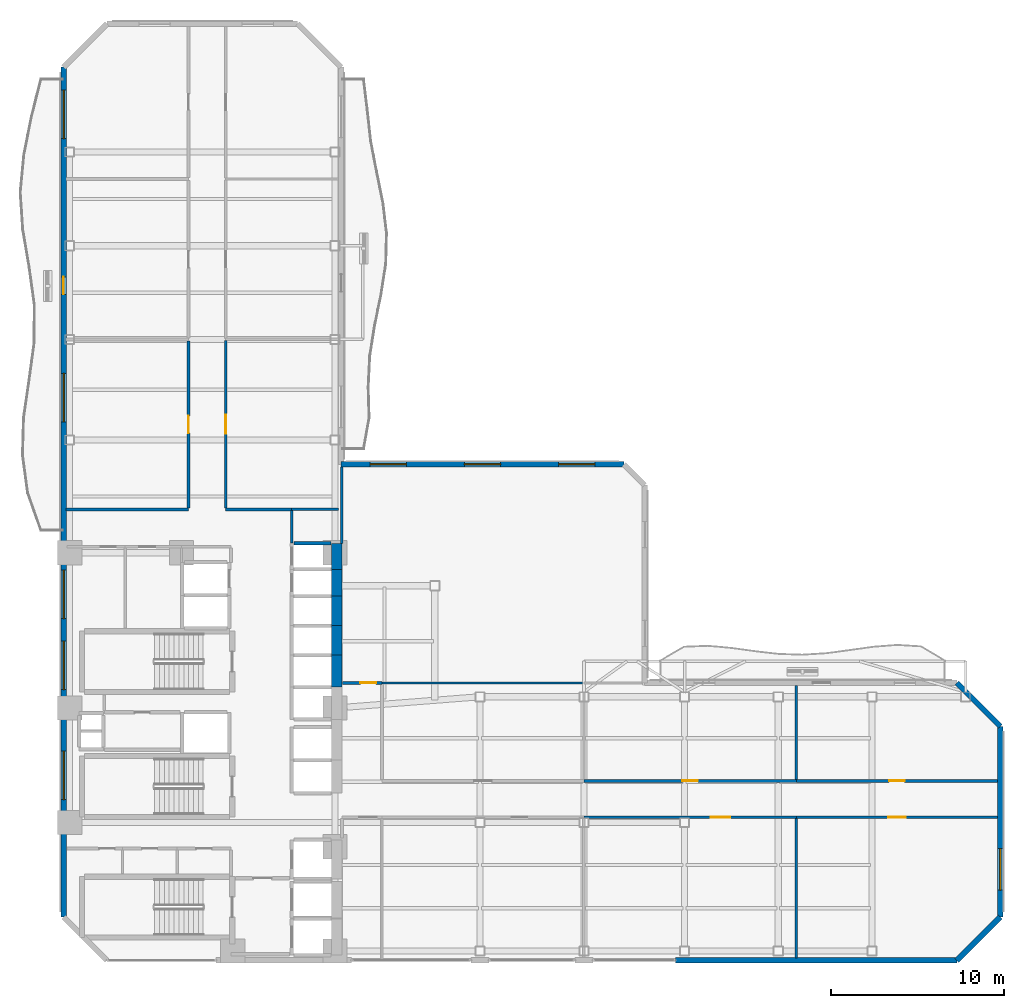
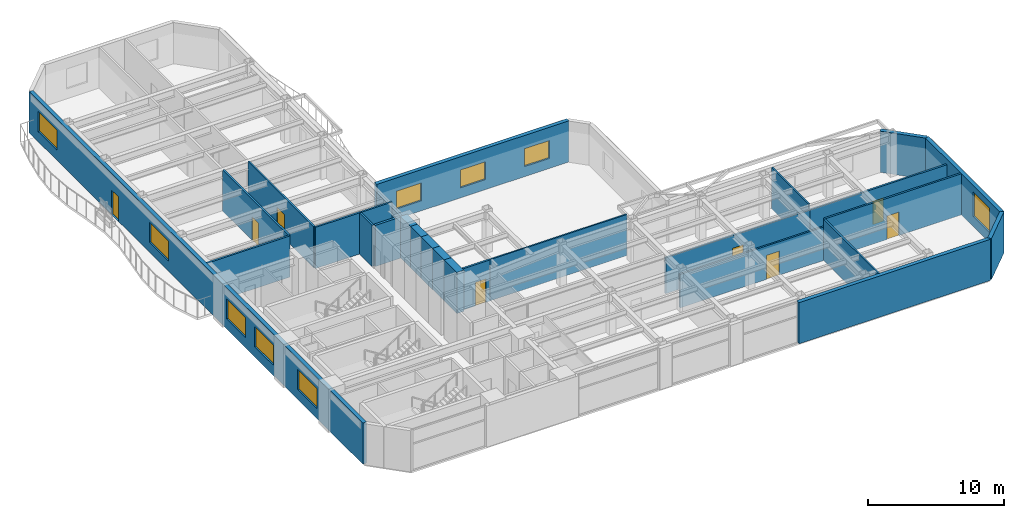
# One storey, part 11 of 16: 27 walls, 9 windows, 8 doors, 17 openings.
"""IFC4 building model written with IfcOpenShell, lengths in metres."""

from ifc_helpers import new_model, si_unit, direction, frame, frame_2d, origin, place, context, subcontext, project, spatial, rectangle, extrude, material, layer, layer_set, type_object, element, fill, save


model = new_model("IFC4")

# Units and contexts
model_context = context("Model", 3, precision=1e-05, world=origin(), true_north=direction((0.0, 1.0)))
body_context = subcontext(model_context, "Body", "Model", "MODEL_VIEW")
ifc_project = project(units=[si_unit("LENGTHUNIT", "METRE"), si_unit("AREAUNIT", "SQUARE_METRE"), si_unit("VOLUMEUNIT", "CUBIC_METRE"), si_unit("PLANEANGLEUNIT", "RADIAN"), si_unit("MASSUNIT", "GRAM", prefix="KILO")], contexts=[model_context])

# Site, building, storey
site_placement = place(None, origin())
site = spatial("IfcSite", under=ifc_project, at=site_placement, CompositionType="ELEMENT")
building_placement = place(site_placement, origin())
building = spatial("IfcBuilding", under=site, at=building_placement, Name="Mawjaban Terraces University", CompositionType="ELEMENT")
storey_placement = place(building_placement, frame((0.0, 0.0, 38.800048828125)))
storey = spatial("IfcBuildingStorey", under=building, at=storey_placement, Name="L08", CompositionType="ELEMENT", Elevation=38.800048828125)

# Walls
ifc_material_1 = material(Name="Concrete C70/85", Category="concrete")
ifc_layer_1 = layer(ifc_material_1, 0.60009765625)
ifc_layer_set_1 = layer_set([ifc_layer_1], Name="Concrete C70/85")
wall_type_1 = type_object("IfcWallType", Name="CoreShearWall_600", PredefinedType="SHEAR", material=ifc_layer_set_1)
wall_1_placement = place(storey_placement, frame((37.75, 15.75, 0.0), z_axis=(0.0, 0.0, 1.0), x_axis=(0.0, 1.0, 0.0)))
element("IfcWall", 1, at=wall_1_placement, inside=storey, type_object=wall_type_1, Name="L08 Lift OL-2 Hoistway Wall East", PredefinedType="SHEAR", context=body_context, shape_type="SweptSolid", body=[
    extrude(rectangle(XDim=1.85009765625, YDim=0.60009765625, at=frame_2d((0.925048828125, 0.0))), origin(), (0.0, 0.0, 1.0), 3.68994140625),
])
for number, where, z_axis, x_axis, name in (
    (2, (37.75, 17.60009765625, 0.0), (0.0, 0.0, 1.0), (0.0, 1.0, 0.0), "L08 Lift PL-M1 Hoistway Wall East"),
    (3, (37.75, 19.300048828125, 0.0), (0.0, 0.0, 1.0), (0.0, 1.0, 0.0), "L08 Lift PL-M2 Hoistway Wall East"),
):
    element("IfcWall", number, at=place(storey_placement, frame(where, z_axis=z_axis, x_axis=x_axis)), inside=storey, type_object=wall_type_1, Name=name, PredefinedType="SHEAR", context=body_context, shape_type="SweptSolid", body=[
        extrude(rectangle(XDim=1.699951171875, YDim=0.60009765625, at=frame_2d((0.85009765625, 0.0))), origin(), (0.0, 0.0, 1.0), 3.68994140625),
    ])
wall_2_placement = place(storey_placement, frame((37.75, 21.0, 0.0), z_axis=(0.0, 0.0, 1.0), x_axis=(0.0, 1.0, 0.0)))
element("IfcWall", 4, at=wall_2_placement, inside=storey, type_object=wall_type_1, Name="L08 Lift PL-L1 Hoistway Wall East", PredefinedType="SHEAR", context=body_context, shape_type="SweptSolid", body=[
    extrude(rectangle(XDim=1.550048828125, YDim=0.60009765625, at=frame_2d((0.77490234375, 0.0))), origin(), (0.0, 0.0, 1.0), 3.68994140625),
])
wall_3_placement = place(storey_placement, frame((37.75, 22.550048828125, 0.0), z_axis=(0.0, 0.0, 1.0), x_axis=(0.0, 1.0, 0.0)))
element("IfcWall", 5, at=wall_3_placement, inside=storey, type_object=wall_type_1, Name="L08 Lift PL-L2 Hoistway Wall East", PredefinedType="SHEAR", context=body_context, shape_type="SweptSolid", body=[
    extrude(rectangle(XDim=1.5, YDim=0.60009765625, at=frame_2d((0.75, 0.0))), origin(), (0.0, 0.0, 1.0), 3.68994140625),
])
ifc_material_2 = material(Name="Fire-rated gypsum board on steel stud", Category="steel")
ifc_layer_2 = layer(ifc_material_2, 0.159912109375)
ifc_layer_set_2 = layer_set([ifc_layer_2], Name="Fire-rated gypsum board on steel stud")
wall_type_2 = type_object("IfcWallType", Name="CorridorPartition_160", PredefinedType="PARTITIONING", material=ifc_layer_set_2)
wall_4_placement = place(storey_placement, frame((29.199951171875, 26.0, 0.0), z_axis=(0.0, 0.0, 1.0), x_axis=(-1.0, 0.0, 0.0)))
element("IfcWall", 6, at=wall_4_placement, inside=storey, type_object=wall_type_2, Name="L08 North Core Cross-Corridor Partition 9", PredefinedType="PARTITIONING", context=body_context, shape_type="SweptSolid", body=[
    extrude(rectangle(XDim=7.044921875, YDim=0.159912109375, at=frame_2d((3.5224609375, 0.0))), origin(), (0.0, 0.0, 1.0), 3.68994140625),
])
wall_5_placement = place(storey_placement, frame((35.14990234375, 26.0, 0.0), z_axis=(0.0, 0.0, 1.0), x_axis=(-1.0, 0.0, 0.0)))
element("IfcWall", 7, at=wall_5_placement, inside=storey, type_object=wall_type_2, Name="L08 North Core Cross-Corridor Partition 14", PredefinedType="PARTITIONING", context=body_context, shape_type="SweptSolid", body=[
    extrude(rectangle(XDim=3.7998046875, YDim=0.159912109375, at=frame_2d((1.89990234375, 0.0))), origin(), (0.0, 0.0, 1.0), 3.68994140625),
])

# Wall, opening, door
wall_6_placement = place(storey_placement, frame((40.35009765625, 16.0, 0.0), z_axis=(0.0, 0.0, 1.0), x_axis=(-1.0, 0.0, 0.0)))
wall_6 = element("IfcWall", 8, at=wall_6_placement, inside=storey, type_object=wall_type_2, Name="L08 East Academic Corridor Vestibule Partition 20", PredefinedType="PARTITIONING", context=body_context, shape_type="SweptSolid", body=[
    extrude(rectangle(XDim=2.27001953125, YDim=0.159912109375, at=frame_2d((1.135009765625, 0.0))), origin(), (0.0, 0.0, 1.0), 3.68994140625),
])
opening_1_placement = place(wall_6_placement, frame((0.3349609375, 0.0, 0.0)))
opening_1 = element("IfcOpeningElement", 9, at=opening_1_placement, cuts=wall_6, Name="Opening ID-090", PredefinedType="OPENING", context=body_context, shape_type="SweptSolid", body=[
    extrude(rectangle(XDim=0.89990234375, YDim=2.10009765625, at=frame_2d((0.449951171875, 1.050048828125))), frame((0.0, 0.08984375, 0.0), z_axis=(0.0, -1.0, 0.0), x_axis=(1.0, 0.0, 0.0)), (0.0, 0.0, 1.0), 0.179931640625),
])
ifc_material_3 = material(Name="Powder-coated steel frame and solid acoustic timber leaf", Category="steel")
door_type_1 = type_object("IfcDoorType", Name="OfficeDoor_900x2100", OperationType="NOTDEFINED", PredefinedType="DOOR", material=ifc_material_3)
door_1_placement = place(opening_1_placement, origin())
door_1 = element("IfcDoor", 10, at=door_1_placement, inside=storey, type_object=door_type_1, Name="L08 Terrace Collaborative Study Room Door", OperationType="SINGLE_SWING_LEFT", OverallHeight=2.10009765625, OverallWidth=0.89990234375, PredefinedType="DOOR", context=body_context, shape_type="SweptSolid", body=[
    extrude(rectangle(XDim=0.89990234375, YDim=2.10009765625, at=frame_2d((0.449951171875, 1.050048828125))), frame((0.0, 0.02490234375, 0.0), z_axis=(0.0, -1.0, 0.0), x_axis=(1.0, 0.0, 0.0)), (0.0, 0.0, 1.0), 0.050048828125),
])
fill(opening_1, door_1)

wall_7_placement = place(storey_placement, frame((64.239990234375, 8.25, 0.0), z_axis=(0.0, 0.0, 1.0), x_axis=(1.0, 0.0, 0.0)))
wall_7 = element("IfcWall", 11, at=wall_7_placement, inside=storey, type_object=wall_type_2, Name="L08 East Academic Spine Corridor Partition 25", PredefinedType="PARTITIONING", context=body_context, shape_type="SweptSolid", body=[
    extrude(rectangle(XDim=11.60498046875, YDim=0.159912109375, at=frame_2d((5.802490234375, 0.0))), origin(), (0.0, 0.0, 1.0), 3.68994140625),
])
opening_2_placement = place(wall_7_placement, frame((5.302978515625, 0.0, 0.0)))
opening_2 = element("IfcOpeningElement", 12, at=opening_2_placement, cuts=wall_7, Name="Opening ID-100", PredefinedType="OPENING", context=body_context, shape_type="SweptSolid", body=[
    extrude(rectangle(XDim=1.0, YDim=2.10009765625, at=frame_2d((0.5, 1.050048828125))), frame((0.0, 0.08984375, 0.0), z_axis=(0.0, -1.0, 0.0), x_axis=(1.0, 0.0, 0.0)), (0.0, 0.0, 1.0), 0.179931640625),
])
door_type_2 = type_object("IfcDoorType", Name="ClassroomDoor_1000x2100", OperationType="NOTDEFINED", PredefinedType="DOOR", material=ifc_material_3)
door_2_placement = place(opening_2_placement, origin())
door_2 = element("IfcDoor", 13, at=door_2_placement, inside=storey, type_object=door_type_2, Name="L08 Classroom 6 Door", OperationType="SINGLE_SWING_LEFT", OverallHeight=2.10009765625, OverallWidth=1.0, PredefinedType="DOOR", context=body_context, shape_type="SweptSolid", body=[
    extrude(rectangle(XDim=1.0, YDim=2.10009765625, at=frame_2d((0.5, 1.050048828125))), frame((0.0, 0.02490234375, 0.0), z_axis=(0.0, -1.0, 0.0), x_axis=(1.0, 0.0, 0.0)), (0.0, 0.0, 1.0), 0.050048828125),
])
fill(opening_2, door_2)

wall_8_placement = place(storey_placement, frame((64.239990234375, 10.35009765625, 0.0), z_axis=(0.0, 0.0, 1.0), x_axis=(-1.0, 0.0, 0.0)))
wall_8 = element("IfcWall", 14, at=wall_8_placement, inside=storey, type_object=wall_type_2, Name="L08 East Academic Spine Corridor Partition 26", PredefinedType="PARTITIONING", context=body_context, shape_type="SweptSolid", body=[
    extrude(rectangle(XDim=12.239990234375, YDim=0.159912109375, at=frame_2d((6.1201171875, 0.0))), origin(), (0.0, 0.0, 1.0), 3.22705078125),
])
opening_3_placement = place(wall_8_placement, frame((5.669921875, 0.0, 0.0)))
opening_3 = element("IfcOpeningElement", 15, at=opening_3_placement, cuts=wall_8, Name="Opening ID-090", PredefinedType="OPENING", context=body_context, shape_type="SweptSolid", body=[
    extrude(rectangle(XDim=0.89990234375, YDim=2.10009765625, at=frame_2d((0.449951171875, 1.050048828125))), frame((0.0, 0.08984375, 0.0), z_axis=(0.0, -1.0, 0.0), x_axis=(1.0, 0.0, 0.0)), (0.0, 0.0, 1.0), 0.179931640625),
])
door_3_placement = place(opening_3_placement, origin())
door_3 = element("IfcDoor", 16, at=door_3_placement, inside=storey, type_object=door_type_1, Name="L08 Seminar Room 5 Door", OperationType="SINGLE_SWING_RIGHT", OverallHeight=2.10009765625, OverallWidth=0.89990234375, PredefinedType="DOOR", context=body_context, shape_type="SweptSolid", body=[
    extrude(rectangle(XDim=0.89990234375, YDim=2.10009765625, at=frame_2d((0.449951171875, 1.050048828125))), frame((0.0, 0.02490234375, 0.0), z_axis=(0.0, -1.0, 0.0), x_axis=(1.0, 0.0, 0.0)), (0.0, 0.0, 1.0), 0.050048828125),
])
fill(opening_3, door_3)

wall_9_placement = place(storey_placement, frame((75.844970703125, 10.35009765625, 0.0), z_axis=(0.0, 0.0, 1.0), x_axis=(-1.0, 0.0, 0.0)))
wall_9 = element("IfcWall", 17, at=wall_9_placement, inside=storey, type_object=wall_type_2, Name="L08 East Academic Spine Corridor Partition 27", PredefinedType="PARTITIONING", context=body_context, shape_type="SweptSolid", body=[
    extrude(rectangle(XDim=11.60498046875, YDim=0.159912109375, at=frame_2d((5.802490234375, 0.0))), origin(), (0.0, 0.0, 1.0), 3.22705078125),
])
opening_4_placement = place(wall_9_placement, frame((5.35302734375, 0.0, 0.0)))
opening_4 = element("IfcOpeningElement", 18, at=opening_4_placement, cuts=wall_9, Name="Opening ID-090", PredefinedType="OPENING", context=body_context, shape_type="SweptSolid", body=[
    extrude(rectangle(XDim=0.89990234375, YDim=2.10009765625, at=frame_2d((0.449951171875, 1.050048828125))), frame((0.0, 0.08984375, 0.0), z_axis=(0.0, -1.0, 0.0), x_axis=(1.0, 0.0, 0.0)), (0.0, 0.0, 1.0), 0.179931640625),
])
door_4_placement = place(opening_4_placement, origin())
door_4 = element("IfcDoor", 19, at=door_4_placement, inside=storey, type_object=door_type_1, Name="L08 Faculty Office 7 Door", OperationType="SINGLE_SWING_RIGHT", OverallHeight=2.10009765625, OverallWidth=0.89990234375, PredefinedType="DOOR", context=body_context, shape_type="SweptSolid", body=[
    extrude(rectangle(XDim=0.89990234375, YDim=2.10009765625, at=frame_2d((0.449951171875, 1.050048828125))), frame((0.0, 0.02490234375, 0.0), z_axis=(0.0, -1.0, 0.0), x_axis=(1.0, 0.0, 0.0)), (0.0, 0.0, 1.0), 0.050048828125),
])
fill(opening_4, door_4)

wall_10_placement = place(storey_placement, frame((29.199951171875, 35.715087890625, 0.0), z_axis=(0.0, 0.0, 1.0), x_axis=(0.0, -1.0, 0.0)))
wall_10 = element("IfcWall", 20, at=wall_10_placement, inside=storey, type_object=wall_type_2, Name="L08 North Academic Spine Corridor Partition 33", PredefinedType="PARTITIONING", context=body_context, shape_type="SweptSolid", body=[
    extrude(rectangle(XDim=9.64013671875, YDim=0.159912109375, at=frame_2d((4.820068359375, 0.0))), origin(), (0.0, 0.0, 1.0), 3.68994140625),
])
opening_5_placement = place(wall_10_placement, frame((4.320068359375, 0.0, 0.0)))
opening_5 = element("IfcOpeningElement", 21, at=opening_5_placement, cuts=wall_10, Name="Opening ID-100", PredefinedType="OPENING", context=body_context, shape_type="SweptSolid", body=[
    extrude(rectangle(XDim=1.0, YDim=2.10009765625, at=frame_2d((0.5, 1.050048828125))), frame((0.0, 0.08984375, 0.0), z_axis=(0.0, -1.0, 0.0), x_axis=(1.0, 0.0, 0.0)), (0.0, 0.0, 1.0), 0.179931640625),
])
door_5_placement = place(opening_5_placement, origin())
door_5 = element("IfcDoor", 22, at=door_5_placement, inside=storey, type_object=door_type_2, Name="L08 Classroom 8 Door", OperationType="SINGLE_SWING_LEFT", OverallHeight=2.10009765625, OverallWidth=1.0, PredefinedType="DOOR", context=body_context, shape_type="SweptSolid", body=[
    extrude(rectangle(XDim=1.0, YDim=2.10009765625, at=frame_2d((0.5, 1.050048828125))), frame((0.0, 0.02490234375, 0.0), z_axis=(0.0, -1.0, 0.0), x_axis=(1.0, 0.0, 0.0)), (0.0, 0.0, 1.0), 0.050048828125),
])
fill(opening_5, door_5)

# Walls
wall_11_placement = place(storey_placement, frame((35.14990234375, 24.070068359375, 0.0), z_axis=(0.0, 0.0, 1.0), x_axis=(0.0, 1.0, 0.0)))
element("IfcWall", 23, at=wall_11_placement, inside=storey, type_object=wall_type_2, Name="L08 North Core Cross-Corridor Partition 41", PredefinedType="PARTITIONING", context=body_context, shape_type="SweptSolid", body=[
    extrude(rectangle(XDim=1.85498046875, YDim=0.159912109375, at=frame_2d((0.927490234375, 0.0))), origin(), (0.0, 0.0, 1.0), 3.68994140625),
])
ifc_material_4 = material(Name="Insulated terracotta rainscreen on concrete backup C40/50", Category="masonry")
ifc_layer_3 = layer(ifc_material_4, 0.320068359375)
ifc_layer_set_3 = layer_set([ifc_layer_3], Name="Insulated terracotta rainscreen on concrete backup C40/50")
wall_type_3 = type_object("IfcWallType", Name="ExtTerracottaWall_320", PredefinedType="SOLIDWALL", material=ifc_layer_set_3)
wall_12_placement = place(storey_placement, frame((57.27490234375, 0.0, 0.0), z_axis=(0.0, 0.0, 1.0), x_axis=(1.0, 0.0, 0.0)))
element("IfcWall", 24, at=wall_12_placement, inside=storey, type_object=wall_type_3, Name="L08 Exterior Terracotta Pier Wall 1.4", PredefinedType="SOLIDWALL", context=body_context, shape_type="SweptSolid", body=[
    extrude(rectangle(XDim=16.22509765625, YDim=0.320068359375, at=frame_2d((8.112548828125, 0.0))), origin(), (0.0, 0.0, 1.0), 3.68994140625),
])
wall_13_placement = place(storey_placement, frame((73.5, 0.0, 0.0), z_axis=(0.0, 0.0, 1.0), x_axis=(0.707106781187, 0.707106781187, 0.0)))
element("IfcWall", 25, at=wall_13_placement, inside=storey, type_object=wall_type_3, Name="L08 Exterior Terracotta Wall 2", PredefinedType="SOLIDWALL", context=body_context, shape_type="SweptSolid", body=[
    extrude(rectangle(XDim=3.53564453125, YDim=0.320068359375, at=frame_2d((1.767822265625, 0.0))), origin(), (0.0, 0.0, 1.0), 3.68994140625),
])

# Wall, opening, window
wall_14_placement = place(storey_placement, frame((76.0, 2.5, 0.0), z_axis=(0.0, 0.0, 1.0), x_axis=(0.0, 1.0, 0.0)))
wall_14 = element("IfcWall", 26, at=wall_14_placement, inside=storey, type_object=wall_type_3, Name="L08 Exterior Terracotta Wall 3", PredefinedType="SOLIDWALL", context=body_context, shape_type="SweptSolid", body=[
    extrude(rectangle(XDim=11.0, YDim=0.320068359375, at=frame_2d((5.5, 0.0))), origin(), (0.0, 0.0, 1.0), 3.68994140625),
])
opening_6_placement = place(wall_14_placement, frame((1.550048828125, 0.0, 0.89990234375)))
opening_6 = element("IfcOpeningElement", 27, at=opening_6_placement, cuts=wall_14, Name="Opening W-11", PredefinedType="OPENING", context=body_context, shape_type="SweptSolid", body=[
    extrude(rectangle(XDim=2.39990234375, YDim=2.199951171875, at=frame_2d((1.199951171875, 1.10009765625))), frame((0.0, 0.169921875, 0.0), z_axis=(0.0, -1.0, 0.0), x_axis=(1.0, 0.0, 0.0)), (0.0, 0.0, 1.0), 0.340087890625),
])
ifc_material_5 = material(Name="Low-E solar-control double glazing in thermally broken aluminium frame", Category="aluminium")
window_type_1 = type_object("IfcWindowType", Name="Win_2400x2200", PartitioningType="SINGLE_PANEL", PredefinedType="WINDOW", material=ifc_material_5)
window_1_placement = place(opening_6_placement, origin())
window_1 = element("IfcWindow", 28, at=window_1_placement, inside=storey, type_object=window_type_1, Name="L08 Facade Window 3.1", OverallHeight=2.199951171875, OverallWidth=2.39990234375, PartitioningType="SINGLE_PANEL", PredefinedType="WINDOW", context=body_context, shape_type="SweptSolid", body=[
    extrude(rectangle(XDim=2.39990234375, YDim=2.199951171875, at=frame_2d((1.199951171875, 1.10009765625))), frame((0.0, 0.030029296875, 0.0), z_axis=(0.0, -1.0, 0.0), x_axis=(1.0, 0.0, 0.0)), (0.0, 0.0, 1.0), 0.06005859375),
])
fill(opening_6, window_1)

# Wall
wall_15_placement = place(storey_placement, frame((76.0, 13.5, 0.0), z_axis=(0.0, 0.0, 1.0), x_axis=(-0.707106781187, 0.707106781187, 0.0)))
element("IfcWall", 29, at=wall_15_placement, inside=storey, type_object=wall_type_3, Name="L08 Exterior Terracotta Wall 4", PredefinedType="SOLIDWALL", context=body_context, shape_type="SweptSolid", body=[
    extrude(rectangle(XDim=3.53564453125, YDim=0.320068359375, at=frame_2d((1.767822265625, 0.0))), origin(), (0.0, 0.0, 1.0), 3.68994140625),
])

# Wall, openings, windows
wall_16_placement = place(storey_placement, frame((54.300048828125, 28.60009765625, 0.0), z_axis=(0.0, 0.0, 1.0), x_axis=(-1.0, 0.0, 0.0)))
wall_16 = element("IfcWall", 30, at=wall_16_placement, inside=storey, type_object=wall_type_3, Name="L08 Exterior Terracotta Wall 8", PredefinedType="SOLIDWALL", context=body_context, shape_type="SweptSolid", body=[
    extrude(rectangle(XDim=16.300048828125, YDim=0.320068359375, at=frame_2d((8.14990234375, 0.0))), origin(), (0.0, 0.0, 1.0), 3.68994140625),
])
opening_7_placement = place(wall_16_placement, frame((1.6669921875, 0.0, 0.89990234375)))
opening_7 = element("IfcOpeningElement", 31, at=opening_7_placement, cuts=wall_16, Name="Opening W-04", PredefinedType="OPENING", context=body_context, shape_type="SweptSolid", body=[
    extrude(rectangle(XDim=2.10009765625, YDim=1.60009765625, at=frame_2d((1.050048828125, 0.800048828125))), frame((0.0, 0.169921875, 0.0), z_axis=(0.0, -1.0, 0.0), x_axis=(1.0, 0.0, 0.0)), (0.0, 0.0, 1.0), 0.340087890625),
])
opening_8_placement = place(wall_16_placement, frame((7.10009765625, 0.0, 0.89990234375)))
opening_8 = element("IfcOpeningElement", 32, at=opening_8_placement, cuts=wall_16, Name="Opening W-04", PredefinedType="OPENING", context=body_context, shape_type="SweptSolid", body=[
    extrude(rectangle(XDim=2.10009765625, YDim=1.60009765625, at=frame_2d((1.050048828125, 0.800048828125))), frame((0.0, 0.169921875, 0.0), z_axis=(0.0, -1.0, 0.0), x_axis=(1.0, 0.0, 0.0)), (0.0, 0.0, 1.0), 0.340087890625),
])
opening_9_placement = place(wall_16_placement, frame((12.532958984375, 0.0, 0.89990234375)))
opening_9 = element("IfcOpeningElement", 33, at=opening_9_placement, cuts=wall_16, Name="Opening W-04", PredefinedType="OPENING", context=body_context, shape_type="SweptSolid", body=[
    extrude(rectangle(XDim=2.10009765625, YDim=1.60009765625, at=frame_2d((1.050048828125, 0.800048828125))), frame((0.0, 0.169921875, 0.0), z_axis=(0.0, -1.0, 0.0), x_axis=(1.0, 0.0, 0.0)), (0.0, 0.0, 1.0), 0.340087890625),
])
window_type_2 = type_object("IfcWindowType", Name="Win_2100x1600", PartitioningType="SINGLE_PANEL", PredefinedType="WINDOW", material=ifc_material_5)
window_2_placement = place(opening_7_placement, origin())
window_2 = element("IfcWindow", 34, at=window_2_placement, inside=storey, type_object=window_type_2, Name="L08 Facade Window 8.1", OverallHeight=1.60009765625, OverallWidth=2.10009765625, PartitioningType="SINGLE_PANEL", PredefinedType="WINDOW", context=body_context, shape_type="SweptSolid", body=[
    extrude(rectangle(XDim=2.10009765625, YDim=1.60009765625, at=frame_2d((1.050048828125, 0.800048828125))), frame((0.0, 0.030029296875, 0.0), z_axis=(0.0, -1.0, 0.0), x_axis=(1.0, 0.0, 0.0)), (0.0, 0.0, 1.0), 0.06005859375),
])
fill(opening_7, window_2)
window_3_placement = place(opening_8_placement, origin())
window_3 = element("IfcWindow", 35, at=window_3_placement, inside=storey, type_object=window_type_2, Name="L08 Facade Window 8.2", OverallHeight=1.60009765625, OverallWidth=2.10009765625, PartitioningType="SINGLE_PANEL", PredefinedType="WINDOW", context=body_context, shape_type="SweptSolid", body=[
    extrude(rectangle(XDim=2.10009765625, YDim=1.60009765625, at=frame_2d((1.050048828125, 0.800048828125))), frame((0.0, 0.030029296875, 0.0), z_axis=(0.0, -1.0, 0.0), x_axis=(1.0, 0.0, 0.0)), (0.0, 0.0, 1.0), 0.06005859375),
])
fill(opening_8, window_3)
window_4_placement = place(opening_9_placement, origin())
window_4 = element("IfcWindow", 36, at=window_4_placement, inside=storey, type_object=window_type_2, Name="L08 Facade Window 8.3", OverallHeight=1.60009765625, OverallWidth=2.10009765625, PartitioningType="SINGLE_PANEL", PredefinedType="WINDOW", context=body_context, shape_type="SweptSolid", body=[
    extrude(rectangle(XDim=2.10009765625, YDim=1.60009765625, at=frame_2d((1.050048828125, 0.800048828125))), frame((0.0, 0.030029296875, 0.0), z_axis=(0.0, -1.0, 0.0), x_axis=(1.0, 0.0, 0.0)), (0.0, 0.0, 1.0), 0.06005859375),
])
fill(opening_9, window_4)

# Wall, openings, door, windows
wall_17_placement = place(storey_placement, frame((22.0, 51.5, 0.0), z_axis=(0.0, 0.0, 1.0), x_axis=(0.0, -1.0, 0.0)))
wall_17 = element("IfcWall", 37, at=wall_17_placement, inside=storey, type_object=wall_type_3, Name="L08 Exterior Terracotta Wall 13", PredefinedType="SOLIDWALL", context=body_context, shape_type="SweptSolid", body=[
    extrude(rectangle(XDim=49.0, YDim=0.320068359375, at=frame_2d((24.5, 0.0))), origin(), (0.0, 0.0, 1.0), 3.68994140625),
])
opening_10_placement = place(wall_17_placement, frame((12.10009765625, 0.0, 0.0)))
opening_10 = element("IfcOpeningElement", 38, at=opening_10_placement, cuts=wall_17, Name="Opening BD-100", PredefinedType="OPENING", context=body_context, shape_type="SweptSolid", body=[
    extrude(rectangle(XDim=1.0, YDim=2.199951171875, at=frame_2d((0.5, 1.10009765625))), frame((0.0, 0.169921875, 0.0), z_axis=(0.0, -1.0, 0.0), x_axis=(1.0, 0.0, 0.0)), (0.0, 0.0, 1.0), 0.340087890625),
])
opening_11_placement = place(wall_17_placement, frame((1.322021484375, 0.0, 0.89990234375)))
opening_11 = element("IfcOpeningElement", 39, at=opening_11_placement, cuts=wall_17, Name="Opening W-09", PredefinedType="OPENING", context=body_context, shape_type="SweptSolid", body=[
    extrude(rectangle(XDim=2.800048828125, YDim=1.800048828125, at=frame_2d((1.39990234375, 0.89990234375))), frame((0.0, 0.169921875, 0.0), z_axis=(0.0, -1.0, 0.0), x_axis=(1.0, 0.0, 0.0)), (0.0, 0.0, 1.0), 0.340087890625),
])
opening_12_placement = place(wall_17_placement, frame((17.656005859375, 0.0, 0.89990234375)))
opening_12 = element("IfcOpeningElement", 40, at=opening_12_placement, cuts=wall_17, Name="Opening W-09", PredefinedType="OPENING", context=body_context, shape_type="SweptSolid", body=[
    extrude(rectangle(XDim=2.800048828125, YDim=1.800048828125, at=frame_2d((1.39990234375, 0.89990234375))), frame((0.0, 0.169921875, 0.0), z_axis=(0.0, -1.0, 0.0), x_axis=(1.0, 0.0, 0.0)), (0.0, 0.0, 1.0), 0.340087890625),
])
opening_13_placement = place(wall_17_placement, frame((28.993896484375, 0.0, 0.89990234375)))
opening_13 = element("IfcOpeningElement", 41, at=opening_13_placement, cuts=wall_17, Name="Opening W-09", PredefinedType="OPENING", context=body_context, shape_type="SweptSolid", body=[
    extrude(rectangle(XDim=2.800048828125, YDim=1.800048828125, at=frame_2d((1.39990234375, 0.89990234375))), frame((0.0, 0.169921875, 0.0), z_axis=(0.0, -1.0, 0.0), x_axis=(1.0, 0.0, 0.0)), (0.0, 0.0, 1.0), 0.340087890625),
])
opening_14_placement = place(wall_17_placement, frame((33.089111328125, 0.0, 0.89990234375)))
opening_14 = element("IfcOpeningElement", 42, at=opening_14_placement, cuts=wall_17, Name="Opening W-09", PredefinedType="OPENING", context=body_context, shape_type="SweptSolid", body=[
    extrude(rectangle(XDim=2.800048828125, YDim=1.800048828125, at=frame_2d((1.39990234375, 0.89990234375))), frame((0.0, 0.169921875, 0.0), z_axis=(0.0, -1.0, 0.0), x_axis=(1.0, 0.0, 0.0)), (0.0, 0.0, 1.0), 0.340087890625),
])
opening_15_placement = place(wall_17_placement, frame((39.43310546875, 0.0, 0.89990234375)))
opening_15 = element("IfcOpeningElement", 43, at=opening_15_placement, cuts=wall_17, Name="Opening W-09", PredefinedType="OPENING", context=body_context, shape_type="SweptSolid", body=[
    extrude(rectangle(XDim=2.800048828125, YDim=1.800048828125, at=frame_2d((1.39990234375, 0.89990234375))), frame((0.0, 0.169921875, 0.0), z_axis=(0.0, -1.0, 0.0), x_axis=(1.0, 0.0, 0.0)), (0.0, 0.0, 1.0), 0.340087890625),
])
ifc_material_6 = material(Name="Thermally broken anodised aluminium and laminated safety glass", Category="aluminium")
door_type_3 = type_object("IfcDoorType", Name="BalconyGlazedDoor_1000x2200", OperationType="NOTDEFINED", PredefinedType="DOOR", material=ifc_material_6)
door_6_placement = place(opening_10_placement, origin())
door_6 = element("IfcDoor", 44, at=door_6_placement, inside=storey, type_object=door_type_3, Name="L08 Balcony Access Door west", OperationType="SINGLE_SWING_LEFT", OverallHeight=2.199951171875, OverallWidth=1.0, PredefinedType="DOOR", context=body_context, shape_type="SweptSolid", body=[
    extrude(rectangle(XDim=1.0, YDim=2.199951171875, at=frame_2d((0.5, 1.10009765625))), frame((0.0, 0.02490234375, 0.0), z_axis=(0.0, -1.0, 0.0), x_axis=(1.0, 0.0, 0.0)), (0.0, 0.0, 1.0), 0.050048828125),
])
fill(opening_10, door_6)
window_type_3 = type_object("IfcWindowType", Name="Win_2800x1800", PartitioningType="SINGLE_PANEL", PredefinedType="WINDOW", material=ifc_material_5)
window_5_placement = place(opening_11_placement, origin())
window_5 = element("IfcWindow", 45, at=window_5_placement, inside=storey, type_object=window_type_3, Name="L08 Facade Window 13.1", OverallHeight=1.800048828125, OverallWidth=2.800048828125, PartitioningType="SINGLE_PANEL", PredefinedType="WINDOW", context=body_context, shape_type="SweptSolid", body=[
    extrude(rectangle(XDim=2.800048828125, YDim=1.800048828125, at=frame_2d((1.39990234375, 0.89990234375))), frame((0.0, 0.030029296875, 0.0), z_axis=(0.0, -1.0, 0.0), x_axis=(1.0, 0.0, 0.0)), (0.0, 0.0, 1.0), 0.06005859375),
])
fill(opening_11, window_5)
window_6_placement = place(opening_12_placement, origin())
window_6 = element("IfcWindow", 46, at=window_6_placement, inside=storey, type_object=window_type_3, Name="L08 Facade Window 13.4", OverallHeight=1.800048828125, OverallWidth=2.800048828125, PartitioningType="SINGLE_PANEL", PredefinedType="WINDOW", context=body_context, shape_type="SweptSolid", body=[
    extrude(rectangle(XDim=2.800048828125, YDim=1.800048828125, at=frame_2d((1.39990234375, 0.89990234375))), frame((0.0, 0.030029296875, 0.0), z_axis=(0.0, -1.0, 0.0), x_axis=(1.0, 0.0, 0.0)), (0.0, 0.0, 1.0), 0.06005859375),
])
fill(opening_12, window_6)
window_7_placement = place(opening_13_placement, origin())
window_7 = element("IfcWindow", 47, at=window_7_placement, inside=storey, type_object=window_type_3, Name="L08 Facade Window 13.6", OverallHeight=1.800048828125, OverallWidth=2.800048828125, PartitioningType="SINGLE_PANEL", PredefinedType="WINDOW", context=body_context, shape_type="SweptSolid", body=[
    extrude(rectangle(XDim=2.800048828125, YDim=1.800048828125, at=frame_2d((1.39990234375, 0.89990234375))), frame((0.0, 0.030029296875, 0.0), z_axis=(0.0, -1.0, 0.0), x_axis=(1.0, 0.0, 0.0)), (0.0, 0.0, 1.0), 0.06005859375),
])
fill(opening_13, window_7)
window_8_placement = place(opening_14_placement, origin())
window_8 = element("IfcWindow", 48, at=window_8_placement, inside=storey, type_object=window_type_3, Name="L08 Facade Window 13.7", OverallHeight=1.800048828125, OverallWidth=2.800048828125, PartitioningType="SINGLE_PANEL", PredefinedType="WINDOW", context=body_context, shape_type="SweptSolid", body=[
    extrude(rectangle(XDim=2.800048828125, YDim=1.800048828125, at=frame_2d((1.39990234375, 0.89990234375))), frame((0.0, 0.030029296875, 0.0), z_axis=(0.0, -1.0, 0.0), x_axis=(1.0, 0.0, 0.0)), (0.0, 0.0, 1.0), 0.06005859375),
])
fill(opening_14, window_8)
window_9_placement = place(opening_15_placement, origin())
window_9 = element("IfcWindow", 49, at=window_9_placement, inside=storey, type_object=window_type_3, Name="L08 Facade Window 13.8", OverallHeight=1.800048828125, OverallWidth=2.800048828125, PartitioningType="SINGLE_PANEL", PredefinedType="WINDOW", context=body_context, shape_type="SweptSolid", body=[
    extrude(rectangle(XDim=2.800048828125, YDim=1.800048828125, at=frame_2d((1.39990234375, 0.89990234375))), frame((0.0, 0.030029296875, 0.0), z_axis=(0.0, -1.0, 0.0), x_axis=(1.0, 0.0, 0.0)), (0.0, 0.0, 1.0), 0.06005859375),
])
fill(opening_15, window_9)

# Walls
ifc_material_7 = material(Name="Concrete C40/50", Category="concrete")
ifc_layer_4 = layer(ifc_material_7, 0.199951171875)
ifc_layer_set_4 = layer_set([ifc_layer_4], Name="Concrete C40/50")
wall_type_4 = type_object("IfcWallType", Name="FireLobbyWall_200", PredefinedType="SOLIDWALL", material=ifc_layer_set_4)
wall_18_placement = place(storey_placement, frame((37.419921875, 24.050048828125, 0.0), z_axis=(0.0, 0.0, 1.0), x_axis=(-1.0, 0.0, 0.0)))
element("IfcWall", 50, at=wall_18_placement, inside=storey, type_object=wall_type_4, Name="L08 Lift PL-L2 Hoistway Wall North", PredefinedType="SOLIDWALL", context=body_context, shape_type="SweptSolid", body=[
    extrude(rectangle(XDim=2.139892578125, YDim=0.199951171875, at=frame_2d((1.06982421875, 0.0))), origin(), (0.0, 0.0, 1.0), 3.68994140625),
])
ifc_material_8 = material(Name="Moisture-resistant gypsum board on steel stud", Category="steel")
ifc_layer_5 = layer(ifc_material_8, 0.14501953125)
ifc_layer_set_5 = layer_set([ifc_layer_5], Name="Moisture-resistant gypsum board on steel stud")
wall_type_5 = type_object("IfcWallType", Name="LabPartition_145", PredefinedType="PARTITIONING", material=ifc_layer_set_5)
wall_19_placement = place(storey_placement, frame((35.14990234375, 26.0, 0.0), z_axis=(0.0, 0.0, 1.0), x_axis=(1.0, 0.0, 0.0)))
element("IfcWall", 51, at=wall_19_placement, inside=storey, type_object=wall_type_5, Name="L08 Computational Laboratory 9 Partition 15", PredefinedType="PARTITIONING", context=body_context, shape_type="SweptSolid", body=[
    extrude(rectangle(XDim=2.7001953125, YDim=0.14501953125, at=frame_2d((1.35009765625, 0.0))), origin(), (0.0, 0.0, 1.0), 3.68994140625),
])

# Wall, opening, door
wall_20_placement = place(storey_placement, frame((52.0, 8.25, 0.0), z_axis=(0.0, 0.0, 1.0), x_axis=(1.0, 0.0, 0.0)))
wall_20 = element("IfcWall", 52, at=wall_20_placement, inside=storey, type_object=wall_type_5, Name="L08 East Academic Spine Corridor Partition 21", PredefinedType="PARTITIONING", context=body_context, shape_type="SweptSolid", body=[
    extrude(rectangle(XDim=12.239990234375, YDim=0.14501953125, at=frame_2d((6.1201171875, 0.0))), origin(), (0.0, 0.0, 1.0), 2.994873046875),
])
opening_16_placement = place(wall_20_placement, frame((7.320068359375, 0.0, 0.0)))
opening_16 = element("IfcOpeningElement", 53, at=opening_16_placement, cuts=wall_20, Name="Opening ID-110", PredefinedType="OPENING", context=body_context, shape_type="SweptSolid", body=[
    extrude(rectangle(XDim=1.10009765625, YDim=2.14990234375, at=frame_2d((0.550048828125, 1.074951171875))), frame((0.0, 0.08251953125, 0.0), z_axis=(0.0, -1.0, 0.0), x_axis=(1.0, 0.0, 0.0)), (0.0, 0.0, 1.0), 0.1650390625),
])
door_type_4 = type_object("IfcDoorType", Name="LabDoor_1100x2150", OperationType="NOTDEFINED", PredefinedType="DOOR", material=ifc_material_3)
door_7_placement = place(opening_16_placement, origin())
door_7 = element("IfcDoor", 54, at=door_7_placement, inside=storey, type_object=door_type_4, Name="L08 Teaching Laboratory 4 Door", OperationType="SINGLE_SWING_LEFT", OverallHeight=2.14990234375, OverallWidth=1.10009765625, PredefinedType="DOOR", context=body_context, shape_type="SweptSolid", body=[
    extrude(rectangle(XDim=1.10009765625, YDim=2.14990234375, at=frame_2d((0.550048828125, 1.074951171875))), frame((0.0, 0.02490234375, 0.0), z_axis=(0.0, -1.0, 0.0), x_axis=(1.0, 0.0, 0.0)), (0.0, 0.0, 1.0), 0.050048828125),
])
fill(opening_16, door_7)

wall_21_placement = place(storey_placement, frame((31.35009765625, 26.074951171875, 0.0), z_axis=(0.0, 0.0, 1.0), x_axis=(0.0, 1.0, 0.0)))
wall_21 = element("IfcWall", 55, at=wall_21_placement, inside=storey, type_object=wall_type_5, Name="L08 North Academic Spine Corridor Partition 36", PredefinedType="PARTITIONING", context=body_context, shape_type="SweptSolid", body=[
    extrude(rectangle(XDim=9.656982421875, YDim=0.14501953125, at=frame_2d((4.82861328125, 0.0))), origin(), (0.0, 0.0, 1.0), 3.68994140625),
])
opening_17_placement = place(wall_21_placement, frame((4.279052734375, 0.0, 0.0)))
opening_17 = element("IfcOpeningElement", 56, at=opening_17_placement, cuts=wall_21, Name="Opening ID-110", PredefinedType="OPENING", context=body_context, shape_type="SweptSolid", body=[
    extrude(rectangle(XDim=1.10009765625, YDim=2.14990234375, at=frame_2d((0.550048828125, 1.074951171875))), frame((0.0, 0.08251953125, 0.0), z_axis=(0.0, -1.0, 0.0), x_axis=(1.0, 0.0, 0.0)), (0.0, 0.0, 1.0), 0.1650390625),
])
door_8_placement = place(opening_17_placement, origin())
door_8 = element("IfcDoor", 57, at=door_8_placement, inside=storey, type_object=door_type_4, Name="L08 Computational Laboratory 9 Door", OperationType="SINGLE_SWING_RIGHT", OverallHeight=2.14990234375, OverallWidth=1.10009765625, PredefinedType="DOOR", context=body_context, shape_type="SweptSolid", body=[
    extrude(rectangle(XDim=1.10009765625, YDim=2.14990234375, at=frame_2d((0.550048828125, 1.074951171875))), frame((0.0, 0.02490234375, 0.0), z_axis=(0.0, -1.0, 0.0), x_axis=(1.0, 0.0, 0.0)), (0.0, 0.0, 1.0), 0.050048828125),
])
fill(opening_17, door_8)

# Walls
wall_22_placement = place(storey_placement, frame((38.050048828125, 28.445068359375, 0.0), z_axis=(0.0, 0.0, 1.0), x_axis=(0.0, -1.0, 0.0)))
element("IfcWall", 58, at=wall_22_placement, inside=storey, type_object=wall_type_5, Name="L08 Terrace Collaborative Study Room Partition 43", PredefinedType="PARTITIONING", context=body_context, shape_type="SweptSolid", body=[
    extrude(rectangle(XDim=4.39501953125, YDim=0.14501953125, at=frame_2d((2.197509765625, 0.0))), origin(), (0.0, 0.0, 1.0), 2.994873046875),
])
wall_23_placement = place(storey_placement, frame((64.239990234375, 0.155029296875, 0.0), z_axis=(0.0, 0.0, 1.0), x_axis=(0.0, 1.0, 0.0)))
element("IfcWall", 59, at=wall_23_placement, inside=storey, type_object=wall_type_5, Name="L08 Teaching Laboratory 4 Partition 48", PredefinedType="PARTITIONING", context=body_context, shape_type="SweptSolid", body=[
    extrude(rectangle(XDim=8.02001953125, YDim=0.14501953125, at=frame_2d((4.010009765625, 0.0))), origin(), (0.0, 0.0, 1.0), 3.68994140625),
])
ifc_material_9 = material(Name="Gypsum plasterboard on steel stud", Category="steel")
ifc_layer_6 = layer(ifc_material_9, 0.125)
ifc_layer_set_6 = layer_set([ifc_layer_6], Name="Gypsum plasterboard on steel stud")
wall_type_6 = type_object("IfcWallType", Name="OfficePartition_125", PredefinedType="PARTITIONING", material=ifc_layer_set_6)
wall_24_placement = place(storey_placement, frame((52.0, 16.0, 0.0), z_axis=(0.0, 0.0, 1.0), x_axis=(-1.0, 0.0, 0.0)))
element("IfcWall", 60, at=wall_24_placement, inside=storey, type_object=wall_type_6, Name="L08 Classroom 3 Partition 24", PredefinedType="PARTITIONING", context=body_context, shape_type="SweptSolid", body=[
    extrude(rectangle(XDim=11.64990234375, YDim=0.125, at=frame_2d((5.824951171875, 0.0))), origin(), (0.0, 0.0, 1.0), 3.68994140625),
])
wall_25_placement = place(storey_placement, frame((64.239990234375, 10.425048828125, 0.0), z_axis=(0.0, 0.0, 1.0), x_axis=(0.0, 1.0, 0.0)))
element("IfcWall", 61, at=wall_25_placement, inside=storey, type_object=wall_type_6, Name="L08 Seminar Room 5 Partition 49", PredefinedType="PARTITIONING", context=body_context, shape_type="SweptSolid", body=[
    extrude(rectangle(XDim=5.419921875, YDim=0.125, at=frame_2d((2.7099609375, 0.0))), origin(), (0.0, 0.0, 1.0), 3.68994140625),
])

save(model, "model.ifc")
